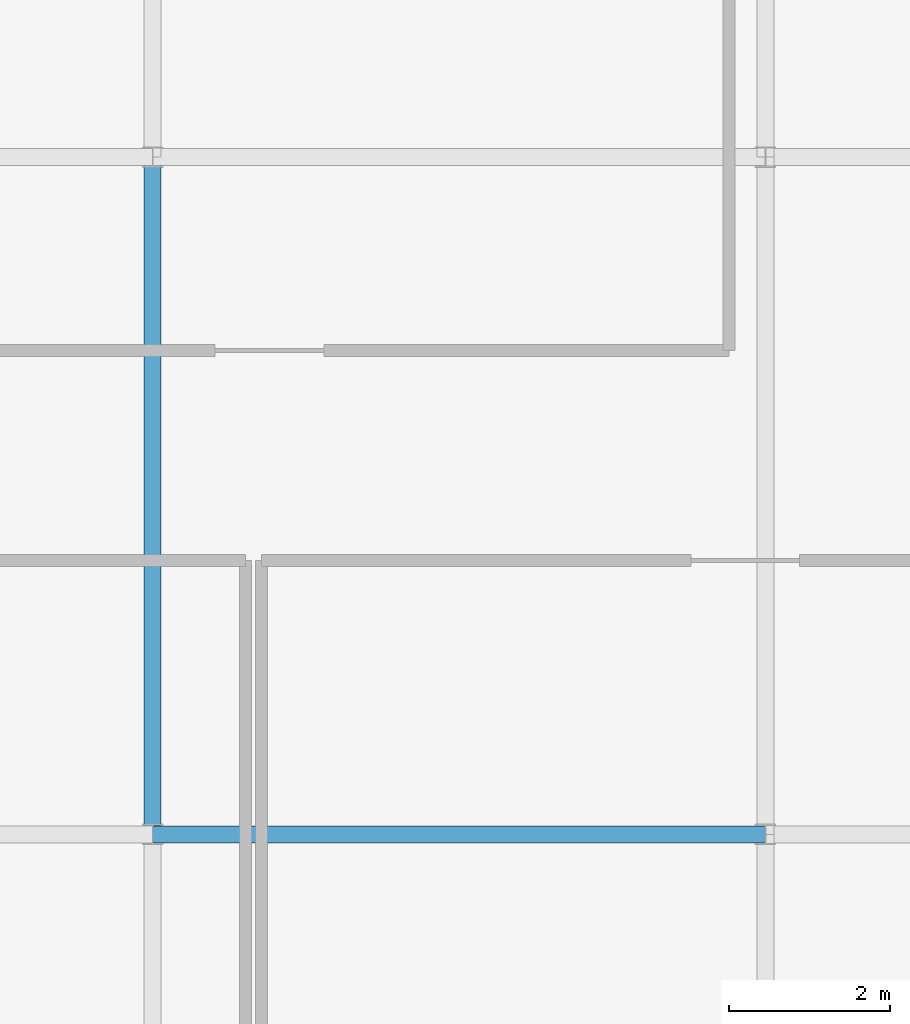
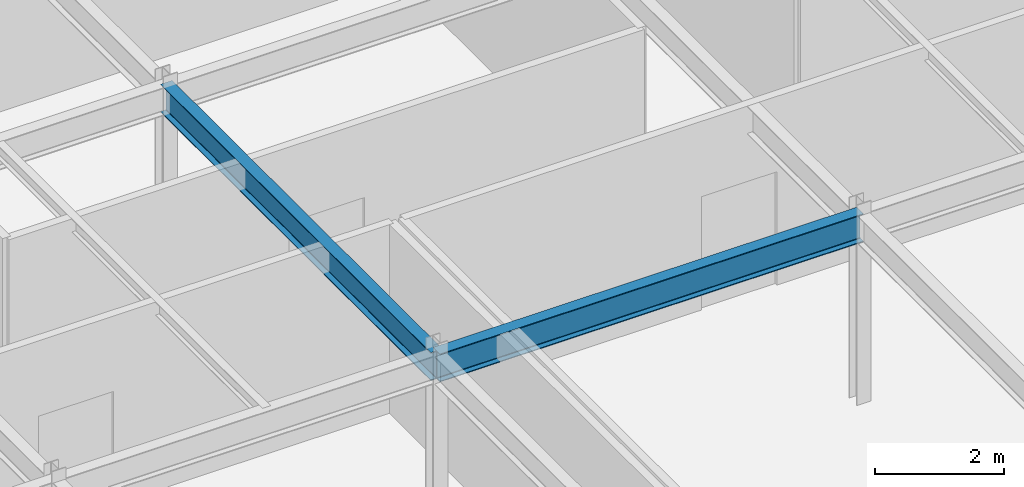
# One storey, part 9 of 36: 2 beams.
"""IFC4 building model written with IfcOpenShell, lengths in metres."""

from ifc_helpers import new_model, si_unit, direction, frame, origin, origin_2d, place, context, subcontext, project, spatial, i_section, extrude, source, transform, mapped, material, material_profile, profile_set, type_object, type_shapes, element, save


model = new_model("IFC4")

# Units and contexts
model_context = context("Model", 3, precision=1e-05, world=origin(), true_north=direction((0.0, 1.0)))
body_context = subcontext(model_context, "Body", "Model", "MODEL_VIEW")
ifc_project = project(units=[si_unit("LENGTHUNIT", "METRE"), si_unit("AREAUNIT", "SQUARE_METRE"), si_unit("VOLUMEUNIT", "CUBIC_METRE"), si_unit("PLANEANGLEUNIT", "RADIAN"), si_unit("MASSUNIT", "GRAM", prefix="KILO")], contexts=[model_context])

# Site, building, storey
site_placement = place(None, origin())
site = spatial("IfcSite", under=ifc_project, at=site_placement, CompositionType="ELEMENT")
building_placement = place(site_placement, origin())
building = spatial("IfcBuilding", under=site, at=building_placement, Name="Tolvann Quenvar Hotel", CompositionType="ELEMENT")
storey_placement = place(building_placement, frame((0.0, 0.0, 306.14990234375)))
storey = spatial("IfcBuildingStorey", under=building, at=storey_placement, Name="L81", CompositionType="ELEMENT", Elevation=306.14990234375)

# Beams
ifc_material = material(Name="Steel Grade 350", Category="steel")
ifc_material_profile = material_profile(ifc_material, i_section(OverallWidth=0.208984375, OverallDepth=0.532958984375, WebThickness=0.01025390625, FlangeThickness=0.015625, FilletRadius=0.013916015625, at=origin_2d()), Name="530UB92")
ifc_profile_set = profile_set([ifc_material_profile], Name="Steel Grade 350")
beam_type = type_object("IfcBeamType", Name="BM_GIRD_530UB92", PredefinedType="BEAM", material=ifc_profile_set)
shared_shape_1 = source(origin(), body_context, "Body", "SweptSolid", [
    extrude(i_section(OverallWidth=0.208984375, OverallDepth=0.532958984375, WebThickness=0.01025390625, FlangeThickness=0.015625, FilletRadius=0.013916015625, at=origin_2d()), origin(), (0.0, 0.0, 1.0), 8.39990234375),
])
beam_1_placement = place(storey_placement, frame((14.449951171875, 16.0, 3.3134765625), z_axis=(0.0, 1.0, 0.0), x_axis=(-1.0, 0.0, 0.0)))
element("IfcBeam", 1, at=beam_1_placement, inside=storey, type_object=beam_type, Name="BM-L81-NS-D4-D5", PredefinedType="BEAM", context=body_context, shape_type="MappedRepresentation", body=[
    mapped(shared_shape_1, transform((0.0, 0.0, 0.0), x_axis=(1.0, 0.0, 0.0), y_axis=(0.0, 1.0, 0.0), z_axis=(0.0, 0.0, 1.0), scale=1.0)),
])
shared_shape_2 = source(origin(), body_context, "Body", "SweptSolid", [
    extrude(i_section(OverallWidth=0.208984375, OverallDepth=0.532958984375, WebThickness=0.01025390625, FlangeThickness=0.015625, FilletRadius=0.013916015625, at=origin_2d()), origin(), (0.0, 0.0, 1.0), 7.60009765625),
])
type_shapes(beam_type, [shared_shape_1, shared_shape_2])
beam_2_placement = place(storey_placement, frame((14.449951171875, 16.0, 3.3134765625), z_axis=(1.0, 0.0, 0.0), x_axis=(0.0, 1.0, 0.0)))
element("IfcBeam", 2, at=beam_2_placement, inside=storey, type_object=beam_type, Name="BM-L81-EW-4-D4-E4", PredefinedType="BEAM", context=body_context, shape_type="MappedRepresentation", body=[
    mapped(shared_shape_2, transform((0.0, 0.0, 0.0), x_axis=(1.0, 0.0, 0.0), y_axis=(0.0, 1.0, 0.0), z_axis=(0.0, 0.0, 1.0), scale=1.0)),
])

save(model, "model.ifc")
